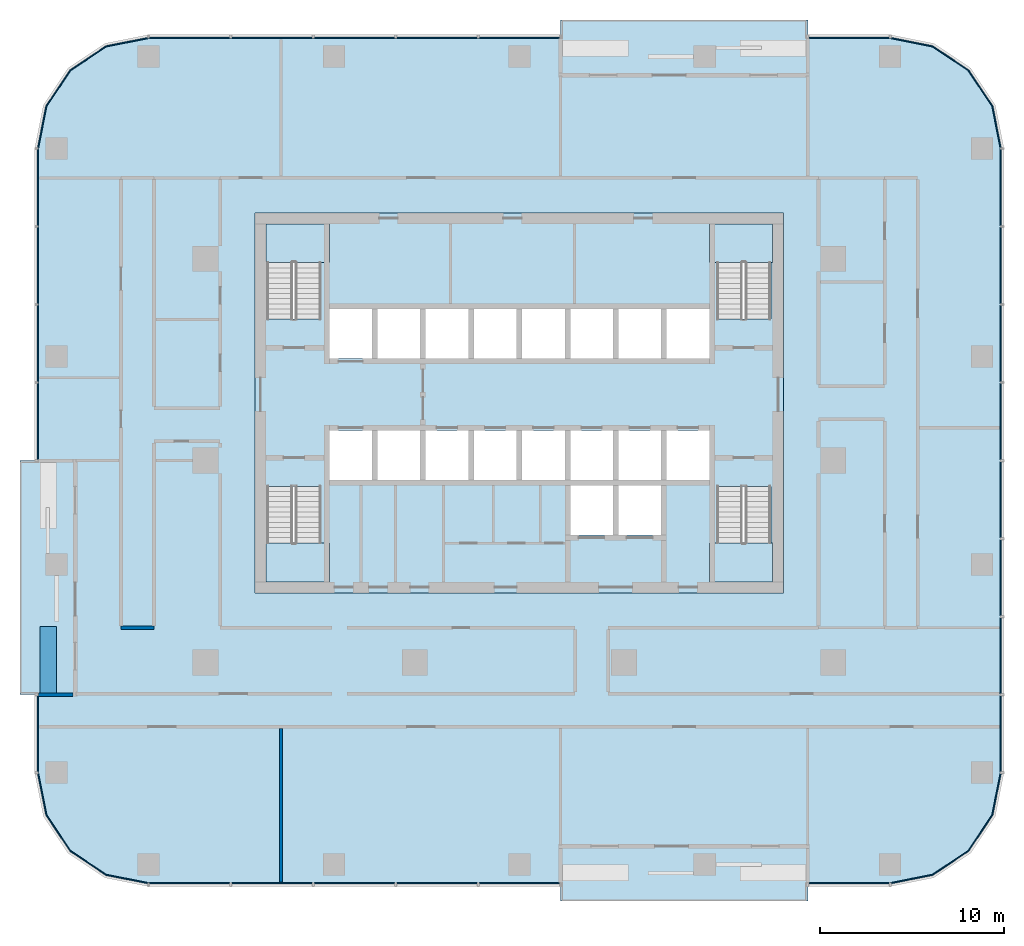
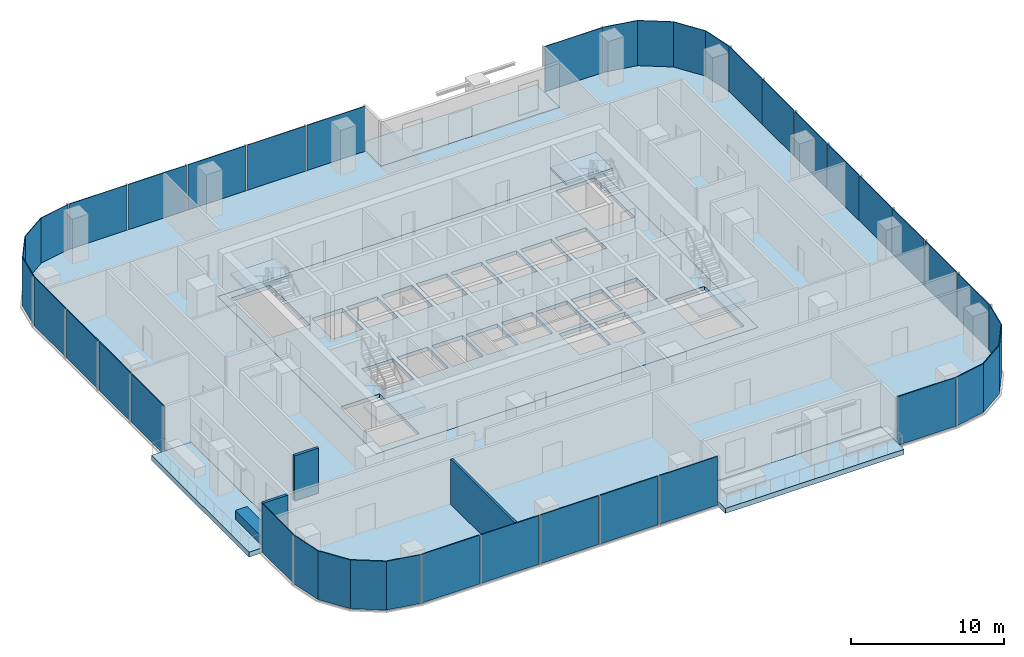
# One storey, part 6 of 14: 29 plates, 9 slabs, 4 walls, 15 elements without a shape of their own.
"""IFC4 building model written with IfcOpenShell, lengths in metres."""

import ifcopenshell
import ifcopenshell.guid

model = None  # the IFC model being written
_history = None  # IfcOwnerHistory: only IFC2X3 demands one
_inside = {}  # id of a spatial element -> (the spatial element, [elements in it])
_under = {}  # id of a project, library or spatial element -> (it, [spatial elements below it])
_declared = {}  # id of a project -> (the project, [libraries it declares])
_typed = {}  # id of a type object -> (the type object, [elements of that type])
_made_of = {}  # id of a material, layer set ... -> (it, [elements and type objects made of it])


def new_model(schema):
    """Start an empty IFC model of exactly this schema.

    Asked for "IFC4X3", IfcOpenShell would pick the latest addendum, in which some entities
    have other attributes; the version numbers below select the first issue.
    IFC2X3 requires an IfcOwnerHistory on every rooted entity: one is made here for all.
    """
    global model, _history
    if schema == "IFC4X3":
        model = ifcopenshell.file(schema_version=(4, 3, 0, 0))
    else:
        model = ifcopenshell.file(schema=schema)
    _inside.clear()
    _under.clear()
    _declared.clear()
    _typed.clear()
    _made_of.clear()
    _history = None
    if model.schema == "IFC2X3":
        org = make("IfcOrganization", Name="unknown")
        user = make(
            "IfcPersonAndOrganization",
            ThePerson=make("IfcPerson", FamilyName="unknown"),
            TheOrganization=org,
        )
        app = make(
            "IfcApplication",
            ApplicationDeveloper=org,
            Version="unknown",
            ApplicationFullName="unknown",
            ApplicationIdentifier="unknown",
        )
        _history = make(
            "IfcOwnerHistory",
            OwningUser=user,
            OwningApplication=app,
            ChangeAction="ADDED",
            CreationDate=0,
        )
    return model


def make(cls, **values):
    """One entity of the class cls with the attributes given. An attribute that is None is left unset."""
    return model.create_entity(
        cls, **{name: value for name, value in values.items() if value is not None}
    )


def rooted(cls, **values):
    """An entity with a GlobalId (a new one), such as an element, a storey or a relation."""
    return make(cls, GlobalId=ifcopenshell.guid.new(), OwnerHistory=_history, **values)


def si_unit(unit_type, name, prefix=None):
    """IfcSIUnit, for example si_unit("LENGTHUNIT", "METRE", prefix="MILLI")."""
    return make("IfcSIUnit", UnitType=unit_type, Prefix=prefix, Name=name)


def assignment(units):
    """IfcUnitAssignment: the units of a project."""
    return None if units is None else make("IfcUnitAssignment", Units=units)


def point(xyz):
    """IfcCartesianPoint."""
    return None if xyz is None else make("IfcCartesianPoint", Coordinates=xyz)


def direction(xyz):
    """IfcDirection."""
    return None if xyz is None else make("IfcDirection", DirectionRatios=xyz)


def frame(location, z_axis=None, x_axis=None):
    """IfcAxis2Placement3D, a coordinate frame: its origin and axes. An axis left out is left unset."""
    return make(
        "IfcAxis2Placement3D",
        Location=point(location),
        Axis=direction(z_axis),
        RefDirection=direction(x_axis),
    )


def frame_2d(location, x_axis=None):
    """IfcAxis2Placement2D, a coordinate frame in the plane: its origin and x axis."""
    return make(
        "IfcAxis2Placement2D", Location=point(location), RefDirection=direction(x_axis)
    )


def origin():
    """The frame at (0, 0, 0) with its axes left unset."""
    return frame((0.0, 0.0, 0.0))


def origin_2d():
    """The frame at (0, 0) in the plane with its x axis left unset."""
    return frame_2d((0.0, 0.0))


def place(relative_to, where):
    """IfcLocalPlacement: puts the frame where relative to a parent placement (None: the world)."""
    return make(
        "IfcLocalPlacement", PlacementRelTo=relative_to, RelativePlacement=where
    )


def context(
    kind, dimensions, precision=None, world=None, true_north=None, identifier=None
):
    """IfcGeometricRepresentationContext, for example the 3D "Model" context."""
    return make(
        "IfcGeometricRepresentationContext",
        ContextIdentifier=identifier,
        ContextType=kind,
        CoordinateSpaceDimension=dimensions,
        Precision=precision,
        WorldCoordinateSystem=world,
        TrueNorth=true_north,
    )


def subcontext(parent, identifier, kind, view, scale=None):
    """IfcGeometricRepresentationSubContext, for example "Body" below "Model"."""
    return make(
        "IfcGeometricRepresentationSubContext",
        ContextIdentifier=identifier,
        ContextType=kind,
        ParentContext=parent,
        TargetScale=scale,
        TargetView=view,
    )


def project(units=None, contexts=None):
    """IfcProject with its units and contexts."""
    return rooted(
        "IfcProject",
        Name="project",
        RepresentationContexts=contexts,
        UnitsInContext=assignment(units),
    )


def spatial(cls, under=None, at=None, **own):
    """A site, building, storey or space (cls), placed at a placement, below another one or the project."""
    s = rooted(cls, ObjectPlacement=at, **own)
    if under is not None:
        _under.setdefault(under.id(), (under, []))[1].append(s)
    return s


def polyline(points):
    """IfcPolyline through the points."""
    return make("IfcPolyline", Points=[point(p) for p in points])


def profile(cls, at=None, kind="AREA", **sizes):
    """A parametric profile (cls). Its sizes go by their IFC names, for example OverallWidth=200.0."""
    return make(cls, ProfileType=kind, Position=at, **sizes)


def rectangle(**sizes):
    """IfcRectangleProfileDef."""
    return profile("IfcRectangleProfileDef", **sizes)


def outline(outer, holes=None, kind="AREA"):
    """IfcArbitraryClosedProfileDef: a profile drawn as a closed curve; with holes, ...WithVoids."""
    if holes is None:
        return make("IfcArbitraryClosedProfileDef", ProfileType=kind, OuterCurve=outer)
    return make(
        "IfcArbitraryProfileDefWithVoids",
        ProfileType=kind,
        OuterCurve=outer,
        InnerCurves=holes,
    )


def extrude(swept, where, along, depth):
    """IfcExtrudedAreaSolid: the profile swept, set in the frame where, extruded along a direction by depth."""
    return make(
        "IfcExtrudedAreaSolid",
        SweptArea=swept,
        Position=where,
        ExtrudedDirection=direction(along),
        Depth=depth,
    )


def shape(context_of_items, identifier, shape_type, items):
    """IfcShapeRepresentation: the items that make up one representation, for example the "Body"."""
    return make(
        "IfcShapeRepresentation",
        ContextOfItems=context_of_items,
        RepresentationIdentifier=identifier,
        RepresentationType=shape_type,
        Items=items,
    )


def material(Name=None, Category=None):
    """IfcMaterial."""
    return make("IfcMaterial", Name=Name, Category=Category)


def layer(
    of_material, thickness, ventilated=None, Name=None, Category=None, Priority=None
):
    """IfcMaterialLayer: one layer of a wall or slab, of a material (None: an air gap)."""
    return make(
        "IfcMaterialLayer",
        Material=of_material,
        LayerThickness=thickness,
        IsVentilated=ventilated,
        Name=Name,
        Category=Category,
        Priority=Priority,
    )


def layer_set(layers, Name=None):
    """IfcMaterialLayerSet."""
    return make("IfcMaterialLayerSet", MaterialLayers=layers, LayerSetName=Name)


def made_of(thing, what):
    """Note that an element or type object is made of a material, layer set ...; save() writes the relation."""
    if what is not None:
        _made_of.setdefault(what.id(), (what, []))[1].append(thing)
    return thing


def type_object(cls, material=None, **own):
    """A type object (cls), such as IfcWallType, which elements share."""
    return made_of(rooted(cls, **own), material)


def element(
    cls,
    number,
    at=None,
    inside=None,
    cuts=None,
    type_object=None,
    material=None,
    context=None,
    identifier="Body",
    shape_type=None,
    held_by="IfcProductDefinitionShape",
    body=None,
    shapes=None,
    **own,
):
    """One element of the class cls, such as IfcWall. Its Tag is "e" and its number.

    at: its placement. inside: the storey or other place that contains it. cuts: it is an
    opening in that element (IfcRelVoidsElement). A single representation is given by context,
    identifier, shape_type and body (its items); several are given by shapes. held_by: the class
    of the entity that holds the representations. save() writes the other relations.
    """
    e = rooted(cls, Tag="e%d" % number, ObjectPlacement=at, **own)
    if body is not None:
        shapes = [shape(context, identifier, shape_type, body)]
    if shapes is not None:
        e.Representation = make(held_by, Representations=shapes)
    if inside is not None:
        _inside.setdefault(inside.id(), (inside, []))[1].append(e)
    if cuts is not None:
        rooted(
            "IfcRelVoidsElement", RelatingBuildingElement=cuts, RelatedOpeningElement=e
        )
    if type_object is not None:
        _typed.setdefault(type_object.id(), (type_object, []))[1].append(e)
    return made_of(e, material)


def aggregate(whole, parts):
    """IfcRelAggregates: a whole, such as a stair, and the parts it consists of."""
    return rooted("IfcRelAggregates", RelatingObject=whole, RelatedObjects=parts)


def save(model, path):
    """Write the relations noted so far, then the file.

    IfcRelAggregates (storeys below a building ...), IfcRelContainedInSpatialStructure (elements
    in a storey), IfcRelDefinesByType, IfcRelAssociatesMaterial and IfcRelDeclares: one each for
    every whole, place, type object, material and project.
    """
    for whole, parts in _under.values():
        aggregate(whole, parts)
    for where, things in _inside.values():
        rooted(
            "IfcRelContainedInSpatialStructure",
            RelatedElements=things,
            RelatingStructure=where,
        )
    for kind, things in _typed.values():
        rooted("IfcRelDefinesByType", RelatedObjects=things, RelatingType=kind)
    for what, things in _made_of.values():
        rooted("IfcRelAssociatesMaterial", RelatedObjects=things, RelatingMaterial=what)
    for by, libraries in _declared.values():
        rooted("IfcRelDeclares", RelatingContext=by, RelatedDefinitions=libraries)
    model.write(path)


model = new_model("IFC4")

# Units and contexts
model_context = context("Model", 3, precision=1e-05, world=origin(), true_north=direction((0.0, 1.0)))
body_context = subcontext(model_context, "Body", "Model", "MODEL_VIEW")
ifc_project = project(units=[si_unit("LENGTHUNIT", "METRE"), si_unit("AREAUNIT", "SQUARE_METRE"), si_unit("VOLUMEUNIT", "CUBIC_METRE"), si_unit("PLANEANGLEUNIT", "RADIAN"), si_unit("MASSUNIT", "GRAM", prefix="KILO")], contexts=[model_context])

# Site, building, storey
site_placement = place(None, origin())
site = spatial("IfcSite", under=ifc_project, at=site_placement, CompositionType="ELEMENT")
building_placement = place(site_placement, origin())
building = spatial("IfcBuilding", under=site, at=building_placement, Name="Mopane Tessera Tower", CompositionType="ELEMENT")
storey_placement = place(building_placement, frame((0.0, 0.0, 197.0)))
storey = spatial("IfcBuildingStorey", under=building, at=storey_placement, Name="L41", CompositionType="ELEMENT", Elevation=197.0)

# Slab
ifc_material_1 = material(Name="Concrete C40/50", Category="concrete")
ifc_layer_1 = layer(ifc_material_1, 0.300048828125)
ifc_layer_set_1 = layer_set([ifc_layer_1], Name="Concrete C40/50")
slab_type_1 = type_object("IfcSlabType", Name="Core floor slab 300 mm", PredefinedType="FLOOR", material=ifc_layer_set_1)
slab_1_placement = place(storey_placement, frame((0.0, 0.0, -0.300048828125)))
element("IfcSlab", 1, at=slab_1_placement, inside=storey, type_object=slab_type_1, Name="L41 core floor slab", PredefinedType="FLOOR", context=body_context, shape_type="SweptSolid", body=[
    extrude(outline(polyline([(-14.39990234375, -7.199951171875), (14.39990234375, -7.199951171875), (14.39990234375, 13.5), (-14.39990234375, 13.5), (-14.39990234375, -7.199951171875)]), holes=[polyline([(-10.35009765625, -1.050048828125), (-8.02490234375, -1.050048828125), (-8.02490234375, 1.64990234375), (-10.35009765625, 1.64990234375), (-10.35009765625, -1.050048828125)]), polyline([(-7.72509765625, -1.050048828125), (-5.39990234375, -1.050048828125), (-5.39990234375, 1.64990234375), (-7.72509765625, 1.64990234375), (-7.72509765625, -1.050048828125)]), polyline([(-5.10009765625, -1.050048828125), (-2.77490234375, -1.050048828125), (-2.77490234375, 1.64990234375), (-5.10009765625, 1.64990234375), (-5.10009765625, -1.050048828125)]), polyline([(-2.47509765625, -1.050048828125), (-0.14990234375, -1.050048828125), (-0.14990234375, 1.64990234375), (-2.47509765625, 1.64990234375), (-2.47509765625, -1.050048828125)]), polyline([(0.14990234375, -1.050048828125), (2.47509765625, -1.050048828125), (2.47509765625, 1.64990234375), (0.14990234375, 1.64990234375), (0.14990234375, -1.050048828125)]), polyline([(2.77490234375, -1.050048828125), (5.10009765625, -1.050048828125), (5.10009765625, 1.64990234375), (2.77490234375, 1.64990234375), (2.77490234375, -1.050048828125)]), polyline([(5.39990234375, -1.050048828125), (7.72509765625, -1.050048828125), (7.72509765625, 1.64990234375), (5.39990234375, 1.64990234375), (5.39990234375, -1.050048828125)]), polyline([(8.02490234375, -1.050048828125), (10.35009765625, -1.050048828125), (10.35009765625, 1.64990234375), (8.02490234375, 1.64990234375), (8.02490234375, -1.050048828125)]), polyline([(-10.35009765625, 5.550048828125), (-8.02490234375, 5.550048828125), (-8.02490234375, 8.25), (-10.35009765625, 8.25), (-10.35009765625, 5.550048828125)]), polyline([(-7.72509765625, 5.550048828125), (-5.39990234375, 5.550048828125), (-5.39990234375, 8.25), (-7.72509765625, 8.25), (-7.72509765625, 5.550048828125)]), polyline([(-5.10009765625, 5.550048828125), (-2.77490234375, 5.550048828125), (-2.77490234375, 8.25), (-5.10009765625, 8.25), (-5.10009765625, 5.550048828125)]), polyline([(-2.47509765625, 5.550048828125), (-0.14990234375, 5.550048828125), (-0.14990234375, 8.25), (-2.47509765625, 8.25), (-2.47509765625, 5.550048828125)]), polyline([(0.14990234375, 5.550048828125), (2.47509765625, 5.550048828125), (2.47509765625, 8.25), (0.14990234375, 8.25), (0.14990234375, 5.550048828125)]), polyline([(2.77490234375, 5.550048828125), (5.10009765625, 5.550048828125), (5.10009765625, 8.25), (2.77490234375, 8.25), (2.77490234375, 5.550048828125)]), polyline([(5.39990234375, 5.550048828125), (7.72509765625, 5.550048828125), (7.72509765625, 8.25), (5.39990234375, 8.25), (5.39990234375, 5.550048828125)]), polyline([(8.02490234375, 5.550048828125), (10.35009765625, 5.550048828125), (10.35009765625, 8.25), (8.02490234375, 8.25), (8.02490234375, 5.550048828125)]), polyline([(2.77490234375, -4.050048828125), (5.10009765625, -4.050048828125), (5.10009765625, -1.35009765625), (2.77490234375, -1.35009765625), (2.77490234375, -4.050048828125)]), polyline([(5.39990234375, -4.050048828125), (7.72509765625, -4.050048828125), (7.72509765625, -1.35009765625), (5.39990234375, -1.35009765625), (5.39990234375, -4.050048828125)]), polyline([(-13.75, -1.405029296875), (-13.75, -6.60009765625), (-10.800048828125, -6.60009765625), (-10.800048828125, -1.405029296875), (-13.75, -1.405029296875)]), polyline([(-10.800048828125, 7.705078125), (-10.800048828125, 12.89990234375), (-13.75, 12.89990234375), (-13.75, 7.705078125), (-10.800048828125, 7.705078125)]), polyline([(10.75, -1.405029296875), (10.75, -6.60009765625), (13.699951171875, -6.60009765625), (13.699951171875, -1.405029296875), (10.75, -1.405029296875)]), polyline([(13.699951171875, 7.705078125), (13.699951171875, 12.89990234375), (10.75, 12.89990234375), (10.75, 7.705078125), (13.699951171875, 7.705078125)])]), origin(), (0.0, 0.0, 1.0), 0.300048828125),
])

# Stair, slab
ifc_material_2 = material(Name="Concrete C50/60", Category="concrete")
stair_type = type_object("IfcStairType", Name="Escape stair 1400 mm, riser 167 mm", PredefinedType="HALF_TURN_STAIR", material=ifc_material_2)
stair_1_placement = place(storey_placement, origin())
stair_1 = element("IfcStair", 2, at=stair_1_placement, inside=storey, type_object=stair_type, Name="L41 Escape stair south-west", PredefinedType="HALF_TURN_STAIR")
ifc_material_3 = material(Name="Concrete C50/60", Category="concrete")
ifc_layer_2 = layer(ifc_material_3, 0.199951171875)
ifc_layer_set_2 = layer_set([ifc_layer_2], Name="Concrete C50/60")
slab_type_2 = type_object("IfcSlabType", Name="Escape stair landing 200 mm", PredefinedType="LANDING", material=ifc_layer_set_2)
slab_2_placement = place(storey_placement, frame((0.0, 0.0, 1.800048828125)))
slab_2 = element("IfcSlab", 3, at=slab_2_placement, type_object=slab_type_2, Name="ST1 landing 1", PredefinedType="LANDING", context=body_context, shape_type="SweptSolid", body=[
    extrude(outline(polyline([(-13.800048828125, -4.47998046875), (-13.800048828125, -6.60009765625), (-10.35009765625, -6.60009765625), (-10.35009765625, -4.47998046875), (-13.800048828125, -4.47998046875)])), origin(), (0.0, 0.0, 1.0), 0.199951171875),
])
aggregate(stair_1, [slab_2])

stair_2_placement = place(storey_placement, origin())
stair_2 = element("IfcStair", 4, at=stair_2_placement, inside=storey, type_object=stair_type, Name="L41 Escape stair north-west", PredefinedType="HALF_TURN_STAIR")
slab_3_placement = place(storey_placement, frame((0.0, 0.0, 1.800048828125)))
slab_3 = element("IfcSlab", 5, at=slab_3_placement, type_object=slab_type_2, Name="ST2 landing 1", PredefinedType="LANDING", context=body_context, shape_type="SweptSolid", body=[
    extrude(outline(polyline([(-10.35009765625, 10.780029296875), (-10.35009765625, 12.89990234375), (-13.800048828125, 12.89990234375), (-13.800048828125, 10.780029296875), (-10.35009765625, 10.780029296875)])), origin(), (0.0, 0.0, 1.0), 0.199951171875),
])
aggregate(stair_2, [slab_3])

stair_3_placement = place(storey_placement, origin())
stair_3 = element("IfcStair", 6, at=stair_3_placement, inside=storey, type_object=stair_type, Name="L41 Escape stair south-east", PredefinedType="HALF_TURN_STAIR")
slab_4_placement = place(storey_placement, frame((0.0, 0.0, 1.800048828125)))
slab_4 = element("IfcSlab", 7, at=slab_4_placement, type_object=slab_type_2, Name="ST3 landing 1", PredefinedType="LANDING", context=body_context, shape_type="SweptSolid", body=[
    extrude(outline(polyline([(10.35009765625, -4.47998046875), (10.35009765625, -6.60009765625), (13.800048828125, -6.60009765625), (13.800048828125, -4.47998046875), (10.35009765625, -4.47998046875)])), origin(), (0.0, 0.0, 1.0), 0.199951171875),
])
aggregate(stair_3, [slab_4])

stair_4_placement = place(storey_placement, origin())
stair_4 = element("IfcStair", 8, at=stair_4_placement, inside=storey, type_object=stair_type, Name="L41 Escape stair north-east", PredefinedType="HALF_TURN_STAIR")
slab_5_placement = place(storey_placement, frame((0.0, 0.0, 1.800048828125)))
slab_5 = element("IfcSlab", 9, at=slab_5_placement, type_object=slab_type_2, Name="ST4 landing 1", PredefinedType="LANDING", context=body_context, shape_type="SweptSolid", body=[
    extrude(outline(polyline([(13.800048828125, 10.780029296875), (13.800048828125, 12.89990234375), (10.35009765625, 12.89990234375), (10.35009765625, 10.780029296875), (13.800048828125, 10.780029296875)])), origin(), (0.0, 0.0, 1.0), 0.199951171875),
])
aggregate(stair_4, [slab_5])

# Slabs
ifc_material_4 = material(Name="Concrete C40/50", Category="concrete")
ifc_layer_3 = layer(ifc_material_4, 0.39990234375)
ifc_layer_set_3 = layer_set([ifc_layer_3], Name="Concrete C40/50")
slab_type_3 = type_object("IfcSlabType", Name="Planted terrace slab 400 mm", PredefinedType="FLOOR", material=ifc_layer_set_3)
slab_6_placement = place(storey_placement, frame((0.0, 0.0, -0.39990234375)))
element("IfcSlab", 10, at=slab_6_placement, inside=storey, type_object=slab_type_3, Name="Terrace slab N1 L41", PredefinedType="FLOOR", context=body_context, shape_type="SweptSolid", body=[
    extrude(outline(polyline([(-27.199951171875, -12.75), (-24.199951171875, -12.75), (-24.199951171875, 0.0), (-27.199951171875, 0.0), (-27.199951171875, -12.75)])), origin(), (0.0, 0.0, 1.0), 0.39990234375),
])
slab_7_placement = place(storey_placement, frame((0.0, 0.0, -0.39990234375)))
element("IfcSlab", 11, at=slab_7_placement, inside=storey, type_object=slab_type_3, Name="Terrace slab N2 L41", PredefinedType="FLOOR", context=body_context, shape_type="SweptSolid", body=[
    extrude(outline(polyline([(15.711181640625, -24.0), (15.711181640625, -21.0), (2.244384765625, -21.0), (2.244384765625, -24.0), (15.711181640625, -24.0)])), origin(), (0.0, 0.0, 1.0), 0.39990234375),
])
slab_8_placement = place(storey_placement, frame((0.0, 0.0, -0.39990234375)))
element("IfcSlab", 12, at=slab_8_placement, inside=storey, type_object=slab_type_3, Name="Terrace slab N3 L41", PredefinedType="FLOOR", context=body_context, shape_type="SweptSolid", body=[
    extrude(outline(polyline([(2.244384765625, 24.0), (2.244384765625, 21.0), (15.711181640625, 21.0), (15.711181640625, 24.0), (2.244384765625, 24.0)])), origin(), (0.0, 0.0, 1.0), 0.39990234375),
])
ifc_material_5 = material(Name="Concrete C40/50", Category="concrete")
ifc_layer_4 = layer(ifc_material_5, 0.39990234375)
ifc_layer_set_4 = layer_set([ifc_layer_4], Name="Concrete C40/50")
slab_type_4 = type_object("IfcSlabType", Name="Post-tensioned flat plate 400 mm", PredefinedType="FLOOR", material=ifc_layer_set_4)
slab_9_placement = place(storey_placement, frame((0.0, 0.0, -0.39990234375)))
element("IfcSlab", 13, at=slab_9_placement, inside=storey, type_object=slab_type_4, Name="Floor slab L41", PredefinedType="FLOOR", context=body_context, shape_type="SweptSolid", body=[
    extrude(outline(polyline([(-20.199951171875, -23.0), (2.244384765625, -23.0), (2.244384765625, -21.0), (15.711181640625, -21.0), (15.711181640625, -23.0), (20.199951171875, -23.0), (22.49609375, -22.543212890625), (24.442626953125, -21.24267578125), (25.7431640625, -19.296142578125), (26.199951171875, -17.0), (26.199951171875, 17.0), (25.7431640625, 19.296142578125), (24.442626953125, 21.24267578125), (22.49609375, 22.543212890625), (20.199951171875, 23.0), (15.711181640625, 23.0), (15.711181640625, 21.0), (2.244384765625, 21.0), (2.244384765625, 23.0), (-20.199951171875, 23.0), (-22.49609375, 22.543212890625), (-24.442626953125, 21.24267578125), (-25.7431640625, 19.296142578125), (-26.199951171875, 17.0), (-26.199951171875, 0.0), (-24.199951171875, 0.0), (-24.199951171875, -12.75), (-26.199951171875, -12.75), (-26.199951171875, -17.0), (-25.7431640625, -19.296142578125), (-24.442626953125, -21.24267578125), (-22.49609375, -22.543212890625), (-20.199951171875, -23.0)]), holes=[polyline([(14.39990234375, -7.199951171875), (-14.39990234375, -7.199951171875), (-14.39990234375, 13.5), (14.39990234375, 13.5), (14.39990234375, -7.199951171875)])]), origin(), (0.0, 0.0, 1.0), 0.39990234375),
])

# Curtain wall, plates
ifc_material_6 = material(Name="Aluminium frame", Category="aluminium")
curtain_wall_type = type_object("IfcCurtainWallType", Name="Unitised curtain wall", PredefinedType="NOTDEFINED", material=ifc_material_6)
curtain_wall_1_placement = place(storey_placement, origin())
curtain_wall_1 = element("IfcCurtainWall", 14, at=curtain_wall_1_placement, inside=storey, type_object=curtain_wall_type, Name="e:cw:L41:S:0", PredefinedType="NOTDEFINED")
ifc_material_7 = material(Name="Clear laminated glass", Category="glass")
ifc_layer_5 = layer(ifc_material_7, 0.06005859375)
ifc_layer_set_5 = layer_set([ifc_layer_5], Name="Clear laminated glass")
plate_type = type_object("IfcPlateType", Name="Unitised glazed unit", PredefinedType="CURTAIN_PANEL", material=ifc_layer_set_5)
plate_1_placement = place(storey_placement, frame((-17.95556640625, -23.030029296875, -0.280029296875), z_axis=(0.0, 0.0, 1.0), x_axis=(1.0, 0.0, 0.0)))
plate_1 = element("IfcPlate", 15, at=plate_1_placement, type_object=plate_type, Name="e:cw:L41:S:0:pn0", PredefinedType="CURTAIN_PANEL", context=body_context, shape_type="SweptSolid", body=[
    extrude(rectangle(XDim=4.388916015625, YDim=0.06005859375, at=origin_2d()), origin(), (0.0, 0.0, 1.0), 3.8798828125),
])
plate_2_placement = place(storey_placement, frame((-13.466552734375, -23.030029296875, -0.280029296875), z_axis=(0.0, 0.0, 1.0), x_axis=(1.0, 0.0, 0.0)))
plate_2 = element("IfcPlate", 16, at=plate_2_placement, type_object=plate_type, Name="e:cw:L41:S:0:pn1", PredefinedType="CURTAIN_PANEL", context=body_context, shape_type="SweptSolid", body=[
    extrude(rectangle(XDim=4.388916015625, YDim=0.06005859375, at=origin_2d()), origin(), (0.0, 0.0, 1.0), 3.8798828125),
])
plate_3_placement = place(storey_placement, frame((-8.977783203125, -23.030029296875, -0.280029296875), z_axis=(0.0, 0.0, 1.0), x_axis=(1.0, 0.0, 0.0)))
plate_3 = element("IfcPlate", 17, at=plate_3_placement, type_object=plate_type, Name="e:cw:L41:S:0:pn2", PredefinedType="CURTAIN_PANEL", context=body_context, shape_type="SweptSolid", body=[
    extrude(rectangle(XDim=4.388916015625, YDim=0.06005859375, at=origin_2d()), origin(), (0.0, 0.0, 1.0), 3.8798828125),
])
plate_4_placement = place(storey_placement, frame((-4.48876953125, -23.030029296875, -0.280029296875), z_axis=(0.0, 0.0, 1.0), x_axis=(1.0, 0.0, 0.0)))
plate_4 = element("IfcPlate", 18, at=plate_4_placement, type_object=plate_type, Name="e:cw:L41:S:0:pn3", PredefinedType="CURTAIN_PANEL", context=body_context, shape_type="SweptSolid", body=[
    extrude(rectangle(XDim=4.388916015625, YDim=0.06005859375, at=origin_2d()), origin(), (0.0, 0.0, 1.0), 3.8798828125),
])
plate_5_placement = place(storey_placement, frame((0.0, -23.030029296875, -0.280029296875), z_axis=(0.0, 0.0, 1.0), x_axis=(1.0, 0.0, 0.0)))
plate_5 = element("IfcPlate", 19, at=plate_5_placement, type_object=plate_type, Name="e:cw:L41:S:0:pn4", PredefinedType="CURTAIN_PANEL", context=body_context, shape_type="SweptSolid", body=[
    extrude(rectangle(XDim=4.388916015625, YDim=0.06005859375, at=origin_2d()), origin(), (0.0, 0.0, 1.0), 3.8798828125),
])
aggregate(curtain_wall_1, [plate_1, plate_2, plate_3, plate_4, plate_5])

# Curtain wall, plate
curtain_wall_2_placement = place(storey_placement, origin())
curtain_wall_2 = element("IfcCurtainWall", 20, at=curtain_wall_2_placement, inside=storey, type_object=curtain_wall_type, Name="e:cw:L41:S:8", PredefinedType="NOTDEFINED")
plate_6_placement = place(storey_placement, frame((17.95556640625, -23.030029296875, -0.280029296875), z_axis=(0.0, 0.0, 1.0), x_axis=(1.0, 0.0, 0.0)))
plate_6 = element("IfcPlate", 21, at=plate_6_placement, type_object=plate_type, Name="e:cw:L41:S:8:pn8", PredefinedType="CURTAIN_PANEL", context=body_context, shape_type="SweptSolid", body=[
    extrude(rectangle(XDim=4.388916015625, YDim=0.06005859375, at=origin_2d()), origin(), (0.0, 0.0, 1.0), 3.8798828125),
])
aggregate(curtain_wall_2, [plate_6])

curtain_wall_3_placement = place(storey_placement, origin())
curtain_wall_3 = element("IfcCurtainWall", 22, at=curtain_wall_3_placement, inside=storey, type_object=curtain_wall_type, Name="e:cw:L41:CS", PredefinedType="NOTDEFINED")
plate_7_placement = place(storey_placement, frame((0.0, 0.0, -0.280029296875)))
plate_7 = element("IfcPlate", 23, at=plate_7_placement, type_object=plate_type, Name="e:cw:L41:CS:pn", PredefinedType="CURTAIN_PANEL", context=body_context, shape_type="SweptSolid", body=[
    extrude(outline(polyline([(20.199951171875, -23.0), (22.49609375, -22.543212890625), (24.442626953125, -21.24267578125), (25.7431640625, -19.296142578125), (26.199951171875, -17.0), (26.260009765625, -17.0), (25.798828125, -19.319091796875), (24.485107421875, -21.28515625), (22.51904296875, -22.5986328125), (20.199951171875, -23.06005859375), (20.199951171875, -23.0)])), origin(), (0.0, 0.0, 1.0), 3.880126953125),
])
aggregate(curtain_wall_3, [plate_7])

# Curtain wall, plates
curtain_wall_4_placement = place(storey_placement, origin())
curtain_wall_4 = element("IfcCurtainWall", 24, at=curtain_wall_4_placement, inside=storey, type_object=curtain_wall_type, Name="e:cw:L41:E:0", PredefinedType="NOTDEFINED")
plate_8_placement = place(storey_placement, frame((26.22998046875, -14.875, -0.280029296875), z_axis=(0.0, 0.0, 1.0), x_axis=(0.0, 1.0, 0.0)))
plate_8 = element("IfcPlate", 25, at=plate_8_placement, type_object=plate_type, Name="e:cw:L41:E:0:pn0", PredefinedType="CURTAIN_PANEL", context=body_context, shape_type="SweptSolid", body=[
    extrude(rectangle(XDim=4.14990234375, YDim=0.06005859375, at=origin_2d()), origin(), (0.0, 0.0, 1.0), 3.8798828125),
])
plate_9_placement = place(storey_placement, frame((26.22998046875, -10.625, -0.280029296875), z_axis=(0.0, 0.0, 1.0), x_axis=(0.0, 1.0, 0.0)))
plate_9 = element("IfcPlate", 26, at=plate_9_placement, type_object=plate_type, Name="e:cw:L41:E:0:pn1", PredefinedType="CURTAIN_PANEL", context=body_context, shape_type="SweptSolid", body=[
    extrude(rectangle(XDim=4.14990234375, YDim=0.06005859375, at=origin_2d()), origin(), (0.0, 0.0, 1.0), 3.8798828125),
])
plate_10_placement = place(storey_placement, frame((26.22998046875, -6.375, -0.280029296875), z_axis=(0.0, 0.0, 1.0), x_axis=(0.0, 1.0, 0.0)))
plate_10 = element("IfcPlate", 27, at=plate_10_placement, type_object=plate_type, Name="e:cw:L41:E:0:pn2", PredefinedType="CURTAIN_PANEL", context=body_context, shape_type="SweptSolid", body=[
    extrude(rectangle(XDim=4.14990234375, YDim=0.06005859375, at=origin_2d()), origin(), (0.0, 0.0, 1.0), 3.8798828125),
])
plate_11_placement = place(storey_placement, frame((26.22998046875, -2.125, -0.280029296875), z_axis=(0.0, 0.0, 1.0), x_axis=(0.0, 1.0, 0.0)))
plate_11 = element("IfcPlate", 28, at=plate_11_placement, type_object=plate_type, Name="e:cw:L41:E:0:pn3", PredefinedType="CURTAIN_PANEL", context=body_context, shape_type="SweptSolid", body=[
    extrude(rectangle(XDim=4.14990234375, YDim=0.06005859375, at=origin_2d()), origin(), (0.0, 0.0, 1.0), 3.8798828125),
])
plate_12_placement = place(storey_placement, frame((26.22998046875, 2.125, -0.280029296875), z_axis=(0.0, 0.0, 1.0), x_axis=(0.0, 1.0, 0.0)))
plate_12 = element("IfcPlate", 29, at=plate_12_placement, type_object=plate_type, Name="e:cw:L41:E:0:pn4", PredefinedType="CURTAIN_PANEL", context=body_context, shape_type="SweptSolid", body=[
    extrude(rectangle(XDim=4.14990234375, YDim=0.06005859375, at=origin_2d()), origin(), (0.0, 0.0, 1.0), 3.8798828125),
])
plate_13_placement = place(storey_placement, frame((26.22998046875, 6.375, -0.280029296875), z_axis=(0.0, 0.0, 1.0), x_axis=(0.0, 1.0, 0.0)))
plate_13 = element("IfcPlate", 30, at=plate_13_placement, type_object=plate_type, Name="e:cw:L41:E:0:pn5", PredefinedType="CURTAIN_PANEL", context=body_context, shape_type="SweptSolid", body=[
    extrude(rectangle(XDim=4.14990234375, YDim=0.06005859375, at=origin_2d()), origin(), (0.0, 0.0, 1.0), 3.8798828125),
])
plate_14_placement = place(storey_placement, frame((26.22998046875, 10.625, -0.280029296875), z_axis=(0.0, 0.0, 1.0), x_axis=(0.0, 1.0, 0.0)))
plate_14 = element("IfcPlate", 31, at=plate_14_placement, type_object=plate_type, Name="e:cw:L41:E:0:pn6", PredefinedType="CURTAIN_PANEL", context=body_context, shape_type="SweptSolid", body=[
    extrude(rectangle(XDim=4.14990234375, YDim=0.06005859375, at=origin_2d()), origin(), (0.0, 0.0, 1.0), 3.8798828125),
])
plate_15_placement = place(storey_placement, frame((26.22998046875, 14.875, -0.280029296875), z_axis=(0.0, 0.0, 1.0), x_axis=(0.0, 1.0, 0.0)))
plate_15 = element("IfcPlate", 32, at=plate_15_placement, type_object=plate_type, Name="e:cw:L41:E:0:pn7", PredefinedType="CURTAIN_PANEL", context=body_context, shape_type="SweptSolid", body=[
    extrude(rectangle(XDim=4.14990234375, YDim=0.06005859375, at=origin_2d()), origin(), (0.0, 0.0, 1.0), 3.8798828125),
])
aggregate(curtain_wall_4, [plate_8, plate_9, plate_10, plate_11, plate_12, plate_13, plate_14, plate_15])

# Curtain wall, plate
curtain_wall_5_placement = place(storey_placement, origin())
curtain_wall_5 = element("IfcCurtainWall", 33, at=curtain_wall_5_placement, inside=storey, type_object=curtain_wall_type, Name="e:cw:L41:CE", PredefinedType="NOTDEFINED")
plate_16_placement = place(storey_placement, frame((0.0, 0.0, -0.280029296875)))
plate_16 = element("IfcPlate", 34, at=plate_16_placement, type_object=plate_type, Name="e:cw:L41:CE:pn", PredefinedType="CURTAIN_PANEL", context=body_context, shape_type="SweptSolid", body=[
    extrude(outline(polyline([(26.199951171875, 17.0), (25.7431640625, 19.296142578125), (24.442626953125, 21.24267578125), (22.49609375, 22.543212890625), (20.199951171875, 23.0), (20.199951171875, 23.06005859375), (22.51904296875, 22.5986328125), (24.485107421875, 21.28515625), (25.798828125, 19.319091796875), (26.260009765625, 17.0), (26.199951171875, 17.0)])), origin(), (0.0, 0.0, 1.0), 3.880126953125),
])
aggregate(curtain_wall_5, [plate_16])

curtain_wall_6_placement = place(storey_placement, origin())
curtain_wall_6 = element("IfcCurtainWall", 35, at=curtain_wall_6_placement, inside=storey, type_object=curtain_wall_type, Name="e:cw:L41:N:0", PredefinedType="NOTDEFINED")
plate_17_placement = place(storey_placement, frame((17.95556640625, 23.030029296875, -0.280029296875), z_axis=(0.0, 0.0, 1.0), x_axis=(-1.0, 0.0, 0.0)))
plate_17 = element("IfcPlate", 36, at=plate_17_placement, type_object=plate_type, Name="e:cw:L41:N:0:pn0", PredefinedType="CURTAIN_PANEL", context=body_context, shape_type="SweptSolid", body=[
    extrude(rectangle(XDim=4.388916015625, YDim=0.06005859375, at=origin_2d()), origin(), (0.0, 0.0, 1.0), 3.8798828125),
])
aggregate(curtain_wall_6, [plate_17])

# Curtain wall, plates
curtain_wall_7_placement = place(storey_placement, origin())
curtain_wall_7 = element("IfcCurtainWall", 37, at=curtain_wall_7_placement, inside=storey, type_object=curtain_wall_type, Name="e:cw:L41:N:4", PredefinedType="NOTDEFINED")
plate_18_placement = place(storey_placement, frame((0.0, 23.030029296875, -0.280029296875), z_axis=(0.0, 0.0, 1.0), x_axis=(-1.0, 0.0, 0.0)))
plate_18 = element("IfcPlate", 38, at=plate_18_placement, type_object=plate_type, Name="e:cw:L41:N:4:pn4", PredefinedType="CURTAIN_PANEL", context=body_context, shape_type="SweptSolid", body=[
    extrude(rectangle(XDim=4.388916015625, YDim=0.06005859375, at=origin_2d()), origin(), (0.0, 0.0, 1.0), 3.8798828125),
])
plate_19_placement = place(storey_placement, frame((-4.48876953125, 23.030029296875, -0.280029296875), z_axis=(0.0, 0.0, 1.0), x_axis=(-1.0, 0.0, 0.0)))
plate_19 = element("IfcPlate", 39, at=plate_19_placement, type_object=plate_type, Name="e:cw:L41:N:4:pn5", PredefinedType="CURTAIN_PANEL", context=body_context, shape_type="SweptSolid", body=[
    extrude(rectangle(XDim=4.388916015625, YDim=0.06005859375, at=origin_2d()), origin(), (0.0, 0.0, 1.0), 3.8798828125),
])
plate_20_placement = place(storey_placement, frame((-8.977783203125, 23.030029296875, -0.280029296875), z_axis=(0.0, 0.0, 1.0), x_axis=(-1.0, 0.0, 0.0)))
plate_20 = element("IfcPlate", 40, at=plate_20_placement, type_object=plate_type, Name="e:cw:L41:N:4:pn6", PredefinedType="CURTAIN_PANEL", context=body_context, shape_type="SweptSolid", body=[
    extrude(rectangle(XDim=4.388916015625, YDim=0.06005859375, at=origin_2d()), origin(), (0.0, 0.0, 1.0), 3.8798828125),
])
plate_21_placement = place(storey_placement, frame((-13.466552734375, 23.030029296875, -0.280029296875), z_axis=(0.0, 0.0, 1.0), x_axis=(-1.0, 0.0, 0.0)))
plate_21 = element("IfcPlate", 41, at=plate_21_placement, type_object=plate_type, Name="e:cw:L41:N:4:pn7", PredefinedType="CURTAIN_PANEL", context=body_context, shape_type="SweptSolid", body=[
    extrude(rectangle(XDim=4.388916015625, YDim=0.06005859375, at=origin_2d()), origin(), (0.0, 0.0, 1.0), 3.8798828125),
])
plate_22_placement = place(storey_placement, frame((-17.95556640625, 23.030029296875, -0.280029296875), z_axis=(0.0, 0.0, 1.0), x_axis=(-1.0, 0.0, 0.0)))
plate_22 = element("IfcPlate", 42, at=plate_22_placement, type_object=plate_type, Name="e:cw:L41:N:4:pn8", PredefinedType="CURTAIN_PANEL", context=body_context, shape_type="SweptSolid", body=[
    extrude(rectangle(XDim=4.388916015625, YDim=0.06005859375, at=origin_2d()), origin(), (0.0, 0.0, 1.0), 3.8798828125),
])
aggregate(curtain_wall_7, [plate_18, plate_19, plate_20, plate_21, plate_22])

# Curtain wall, plate
curtain_wall_8_placement = place(storey_placement, origin())
curtain_wall_8 = element("IfcCurtainWall", 43, at=curtain_wall_8_placement, inside=storey, type_object=curtain_wall_type, Name="e:cw:L41:CN", PredefinedType="NOTDEFINED")
plate_23_placement = place(storey_placement, frame((0.0, 0.0, -0.280029296875)))
plate_23 = element("IfcPlate", 44, at=plate_23_placement, type_object=plate_type, Name="e:cw:L41:CN:pn", PredefinedType="CURTAIN_PANEL", context=body_context, shape_type="SweptSolid", body=[
    extrude(outline(polyline([(-20.199951171875, 23.0), (-22.49609375, 22.543212890625), (-24.442626953125, 21.24267578125), (-25.7431640625, 19.296142578125), (-26.199951171875, 17.0), (-26.260009765625, 17.0), (-25.798828125, 19.319091796875), (-24.485107421875, 21.28515625), (-22.51904296875, 22.5986328125), (-20.199951171875, 23.06005859375), (-20.199951171875, 23.0)])), origin(), (0.0, 0.0, 1.0), 3.880126953125),
])
aggregate(curtain_wall_8, [plate_23])

# Curtain wall, plates
curtain_wall_9_placement = place(storey_placement, origin())
curtain_wall_9 = element("IfcCurtainWall", 45, at=curtain_wall_9_placement, inside=storey, type_object=curtain_wall_type, Name="e:cw:L41:W:0", PredefinedType="NOTDEFINED")
plate_24_placement = place(storey_placement, frame((-26.22998046875, 14.875, -0.280029296875), z_axis=(0.0, 0.0, 1.0), x_axis=(0.0, -1.0, 0.0)))
plate_24 = element("IfcPlate", 46, at=plate_24_placement, type_object=plate_type, Name="e:cw:L41:W:0:pn0", PredefinedType="CURTAIN_PANEL", context=body_context, shape_type="SweptSolid", body=[
    extrude(rectangle(XDim=4.14990234375, YDim=0.06005859375, at=origin_2d()), origin(), (0.0, 0.0, 1.0), 3.8798828125),
])
plate_25_placement = place(storey_placement, frame((-26.22998046875, 10.625, -0.280029296875), z_axis=(0.0, 0.0, 1.0), x_axis=(0.0, -1.0, 0.0)))
plate_25 = element("IfcPlate", 47, at=plate_25_placement, type_object=plate_type, Name="e:cw:L41:W:0:pn1", PredefinedType="CURTAIN_PANEL", context=body_context, shape_type="SweptSolid", body=[
    extrude(rectangle(XDim=4.14990234375, YDim=0.06005859375, at=origin_2d()), origin(), (0.0, 0.0, 1.0), 3.8798828125),
])
plate_26_placement = place(storey_placement, frame((-26.22998046875, 6.375, -0.280029296875), z_axis=(0.0, 0.0, 1.0), x_axis=(0.0, -1.0, 0.0)))
plate_26 = element("IfcPlate", 48, at=plate_26_placement, type_object=plate_type, Name="e:cw:L41:W:0:pn2", PredefinedType="CURTAIN_PANEL", context=body_context, shape_type="SweptSolid", body=[
    extrude(rectangle(XDim=4.14990234375, YDim=0.06005859375, at=origin_2d()), origin(), (0.0, 0.0, 1.0), 3.8798828125),
])
plate_27_placement = place(storey_placement, frame((-26.22998046875, 2.125, -0.280029296875), z_axis=(0.0, 0.0, 1.0), x_axis=(0.0, -1.0, 0.0)))
plate_27 = element("IfcPlate", 49, at=plate_27_placement, type_object=plate_type, Name="e:cw:L41:W:0:pn3", PredefinedType="CURTAIN_PANEL", context=body_context, shape_type="SweptSolid", body=[
    extrude(rectangle(XDim=4.14990234375, YDim=0.06005859375, at=origin_2d()), origin(), (0.0, 0.0, 1.0), 3.8798828125),
])
aggregate(curtain_wall_9, [plate_24, plate_25, plate_26, plate_27])

# Curtain wall, plate
curtain_wall_10_placement = place(storey_placement, origin())
curtain_wall_10 = element("IfcCurtainWall", 50, at=curtain_wall_10_placement, inside=storey, type_object=curtain_wall_type, Name="e:cw:L41:W:7", PredefinedType="NOTDEFINED")
plate_28_placement = place(storey_placement, frame((-26.22998046875, -14.875, -0.280029296875), z_axis=(0.0, 0.0, 1.0), x_axis=(0.0, -1.0, 0.0)))
plate_28 = element("IfcPlate", 51, at=plate_28_placement, type_object=plate_type, Name="e:cw:L41:W:7:pn7", PredefinedType="CURTAIN_PANEL", context=body_context, shape_type="SweptSolid", body=[
    extrude(rectangle(XDim=4.14990234375, YDim=0.06005859375, at=origin_2d()), origin(), (0.0, 0.0, 1.0), 3.8798828125),
])
aggregate(curtain_wall_10, [plate_28])

curtain_wall_11_placement = place(storey_placement, origin())
curtain_wall_11 = element("IfcCurtainWall", 52, at=curtain_wall_11_placement, inside=storey, type_object=curtain_wall_type, Name="e:cw:L41:CW", PredefinedType="NOTDEFINED")
plate_29_placement = place(storey_placement, frame((0.0, 0.0, -0.280029296875)))
plate_29 = element("IfcPlate", 53, at=plate_29_placement, type_object=plate_type, Name="e:cw:L41:CW:pn", PredefinedType="CURTAIN_PANEL", context=body_context, shape_type="SweptSolid", body=[
    extrude(outline(polyline([(-26.199951171875, -17.0), (-25.7431640625, -19.296142578125), (-24.442626953125, -21.24267578125), (-22.49609375, -22.543212890625), (-20.199951171875, -23.0), (-20.199951171875, -23.06005859375), (-22.51904296875, -22.5986328125), (-24.485107421875, -21.28515625), (-25.798828125, -19.319091796875), (-26.260009765625, -17.0), (-26.199951171875, -17.0)])), origin(), (0.0, 0.0, 1.0), 3.880126953125),
])
aggregate(curtain_wall_11, [plate_29])

# Walls
ifc_material_8 = material(Name="Gypsum board on staggered steel studs, double layer each face, acoustic mineral wool infill", Category="steel")
ifc_layer_6 = layer(ifc_material_8, 0.175048828125)
ifc_layer_set_6 = layer_set([ifc_layer_6], Name="Gypsum board on staggered steel studs, double layer each face, acoustic mineral wool infill")
wall_type_1 = type_object("IfcWallType", Name="Gypsum board acoustic partition 175, rated EI 60", PredefinedType="PARTITIONING", material=ifc_layer_set_6)
wall_1_placement = place(storey_placement, frame((-12.97509765625, -22.949951171875, 0.0), z_axis=(0.0, 0.0, 1.0), x_axis=(0.0, 1.0, 0.0)))
element("IfcWall", 54, at=wall_1_placement, inside=storey, type_object=wall_type_1, Name="Partition L41:034", PredefinedType="PARTITIONING", context=body_context, shape_type="SweptSolid", body=[
    extrude(rectangle(XDim=8.349853515625, YDim=0.175048828125, at=frame_2d((4.1748046875, 0.0))), origin(), (0.0, 0.0, 1.0), 3.60009765625),
])
ifc_material_9 = material(Name="Gypsum board on steel studs, two layers each face, mineral wool infill", Category="steel")
ifc_layer_7 = layer(ifc_material_9, 0.199951171875)
ifc_layer_set_7 = layer_set([ifc_layer_7], Name="Gypsum board on steel studs, two layers each face, mineral wool infill")
wall_type_2 = type_object("IfcWallType", Name="Gypsum board corridor wall 200, rated EI 60", PredefinedType="PARTITIONING", material=ifc_layer_set_7)
wall_2_placement = place(storey_placement, frame((-21.699951171875, -9.10009765625, 0.0), z_axis=(0.0, 0.0, 1.0), x_axis=(1.0, 0.0, 0.0)))
element("IfcWall", 55, at=wall_2_placement, inside=storey, type_object=wall_type_2, Name="Partition L41:006", PredefinedType="PARTITIONING", context=body_context, shape_type="SweptSolid", body=[
    extrude(rectangle(XDim=1.800048828125, YDim=0.199951171875, at=frame_2d((0.89990234375, 0.0))), origin(), (0.0, 0.0, 1.0), 3.60009765625),
])
ifc_material_10 = material(Name="Reinforced concrete C32/40 with waterproofing", Category="concrete")
ifc_layer_8 = layer(ifc_material_10, 0.89990234375)
ifc_layer_set_8 = layer_set([ifc_layer_8], Name="Reinforced concrete C32/40 with waterproofing")
wall_type_3 = type_object("IfcWallType", Name="Planter trough 3600 x 900", PredefinedType="STANDARD", material=ifc_layer_set_8)
wall_3_placement = place(storey_placement, frame((-25.64990234375, -9.050048828125, 0.0), z_axis=(0.0, 0.0, 1.0), x_axis=(0.0, -1.0, 0.0)))
element("IfcWall", 56, at=wall_3_placement, inside=storey, type_object=wall_type_3, Name="e:nw:L41:N1:pl1", PredefinedType="STANDARD", context=body_context, shape_type="SweptSolid", body=[
    extrude(rectangle(XDim=3.599853515625, YDim=0.89990234375, at=frame_2d((1.7998046875, 0.0))), origin(), (0.0, 0.0, 1.0), 0.699951171875),
])
ifc_material_11 = material(Name="Blockwork with glazed tile facing", Category="masonry")
ifc_layer_9 = layer(ifc_material_11, 0.199951171875)
ifc_layer_set_9 = layer_set([ifc_layer_9], Name="Blockwork with glazed tile facing")
wall_type_4 = type_object("IfcWallType", Name="Terrace cheek wall 200", PredefinedType="STANDARD", material=ifc_layer_set_9)
wall_4_placement = place(storey_placement, frame((-26.199951171875, -12.75, 0.0), z_axis=(0.0, 0.0, 1.0), x_axis=(1.0, 0.0, 0.0)))
element("IfcWall", 57, at=wall_4_placement, inside=storey, type_object=wall_type_4, Name="e:nw:L41:N1:cheekb", PredefinedType="STANDARD", context=body_context, shape_type="SweptSolid", body=[
    extrude(rectangle(XDim=1.875, YDim=0.199951171875, at=frame_2d((0.9375, 0.0))), origin(), (0.0, 0.0, 1.0), 3.60009765625),
])

save(model, "model.ifc")
